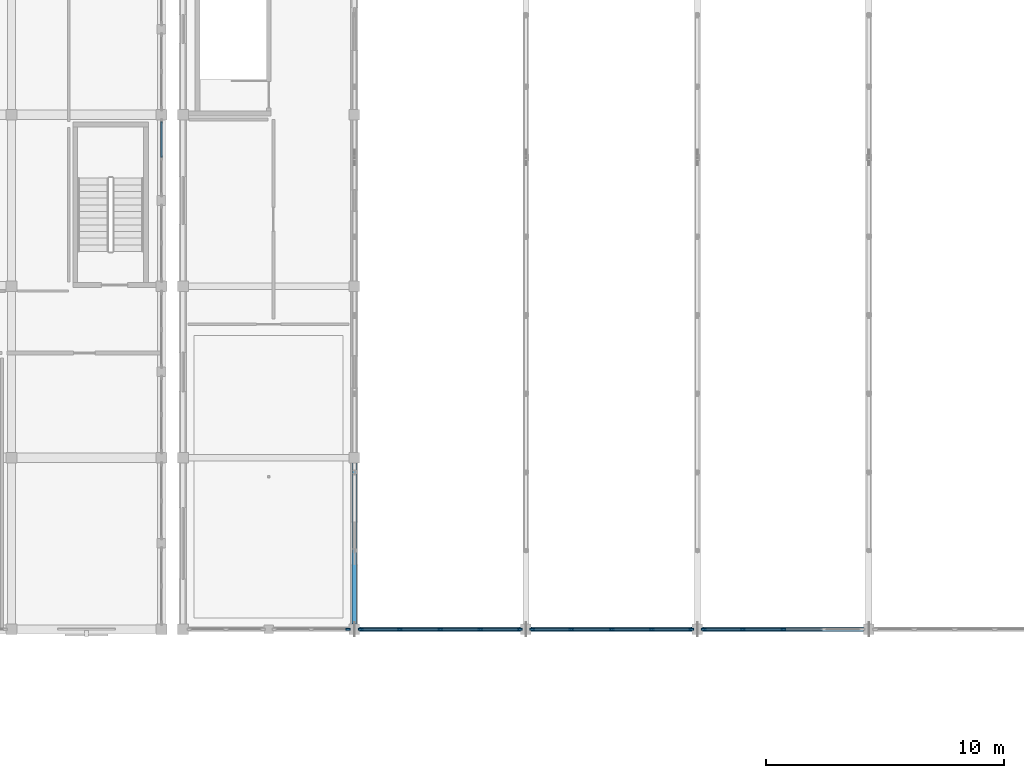
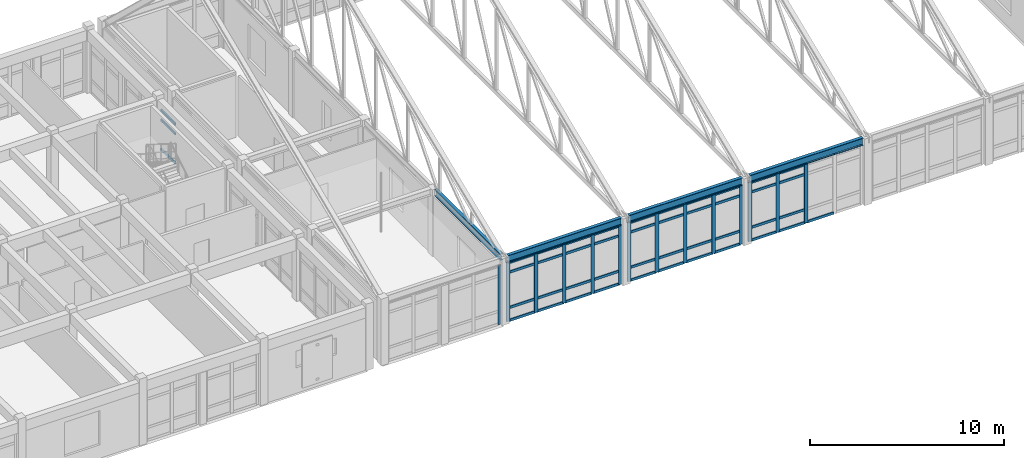
# One storey, part 17 of 136: 58 members, 4 beams, 5 elements without a shape of their own.
"""IFC4 building model written with IfcOpenShell, lengths in metres."""

from ifc_helpers import new_model, si_unit, direction, frame, origin, origin_2d, place, context, subcontext, project, spatial, rectangle, i_section, extrude, material, layer, layer_set, material_profile, profile_set, type_object, element, aggregate, save


model = new_model("IFC4")

# Units and contexts
model_context = context("Model", 3, precision=1e-05, world=origin(), true_north=direction((0.0, 1.0)))
body_context = subcontext(model_context, "Body", "Model", "MODEL_VIEW")
ifc_project = project(units=[si_unit("LENGTHUNIT", "METRE"), si_unit("AREAUNIT", "SQUARE_METRE"), si_unit("VOLUMEUNIT", "CUBIC_METRE"), si_unit("PLANEANGLEUNIT", "RADIAN"), si_unit("MASSUNIT", "GRAM", prefix="KILO")], contexts=[model_context])

# Site, building, storey
site_placement = place(None, origin())
site = spatial("IfcSite", under=ifc_project, at=site_placement, CompositionType="ELEMENT")
building_placement = place(site_placement, origin())
building = spatial("IfcBuilding", under=site, at=building_placement, Name="Koriwan Promenade Central Fire Station", CompositionType="ELEMENT")
storey_placement = place(building_placement, frame((0.0, 0.0, 5.39990234375)))
storey = spatial("IfcBuildingStorey", under=building, at=storey_placement, Name="L01", CompositionType="ELEMENT", Elevation=5.39990234375)

# Curtain wall, member
ifc_material_1 = material(Name="Aluminium EN AW-6063-T6 and low-E glazing", Category="aluminium")
ifc_layer_1 = layer(ifc_material_1, 0.159912109375, Name="Aluminium EN AW-6063-T6 and low-E glazing")
ifc_layer_set_1 = layer_set([ifc_layer_1], Name="Aluminium EN AW-6063-T6 and low-E glazing")
curtain_wall_type_1 = type_object("IfcCurtainWallType", Name="CurtainWall_02_318x372", PredefinedType="USERDEFINED", material=ifc_layer_set_1)
curtain_wall_1_placement = place(storey_placement, origin())
curtain_wall_1 = element("IfcCurtainWall", 1, at=curtain_wall_1_placement, inside=storey, type_object=curtain_wall_type_1, Name="V1 L01 unitised curtain wall 003", ObjectType="UNITISED CURTAIN WALL", PredefinedType="USERDEFINED")
ifc_material_2 = material(Name="Aluminium EN AW-6063-T6", Category="aluminium")
ifc_material_profile_1 = material_profile(ifc_material_2, rectangle(XDim=0.074951171875, YDim=0.179931640625, at=origin_2d()), Name="ALU-MUL-75x180")
ifc_profile_set_1 = profile_set([ifc_material_profile_1], Name="Aluminium EN AW-6063-T6")
member_type_1 = type_object("IfcMemberType", Name="CWMullion_ALU-MUL-75x180", PredefinedType="MULLION", material=ifc_profile_set_1)
member_1_placement = place(storey_placement, frame((64.53759765625, 43.199951171875, 0.0), z_axis=(0.0, 0.0, 1.0), x_axis=(0.0, -1.0, 0.0)))
member_1 = element("IfcMember", 2, at=member_1_placement, type_object=member_type_1, Name="CW-02 mullion 1", PredefinedType="MULLION", context=body_context, shape_type="SweptSolid", body=[
    extrude(rectangle(XDim=0.074951171875, YDim=0.179931640625, at=origin_2d()), origin(), (0.0, 0.0, 1.0), 3.72119140625),
])
aggregate(curtain_wall_1, [member_1])

# Curtain wall, members
ifc_layer_2 = layer(ifc_material_1, 0.159912109375, Name="Aluminium EN AW-6063-T6 and low-E glazing")
ifc_layer_set_2 = layer_set([ifc_layer_2], Name="Aluminium EN AW-6063-T6 and low-E glazing")
curtain_wall_type_2 = type_object("IfcCurtainWallType", Name="CurtainWall_93_675x372", PredefinedType="USERDEFINED", material=ifc_layer_set_2)
curtain_wall_2_placement = place(storey_placement, origin())
curtain_wall_2 = element("IfcCurtainWall", 3, at=curtain_wall_2_placement, inside=storey, type_object=curtain_wall_type_2, Name="V1 L01 unitised curtain wall 289", ObjectType="UNITISED CURTAIN WALL", PredefinedType="USERDEFINED")
ifc_material_profile_2 = material_profile(ifc_material_2, rectangle(XDim=0.080078125, YDim=0.2099609375, at=origin_2d()), Name="ALU-MUL-80x210")
ifc_profile_set_2 = profile_set([ifc_material_profile_2], Name="Aluminium EN AW-6063-T6")
member_type_2 = type_object("IfcMemberType", Name="CWMullion_ALU-MUL-80x210", PredefinedType="MULLION", material=ifc_profile_set_2)
member_2_placement = place(storey_placement, frame((65.06494140625, 43.199951171875, 0.0), z_axis=(0.0, 0.0, 1.0), x_axis=(0.0, 1.0, 0.0)))
member_2 = element("IfcMember", 4, at=member_2_placement, type_object=member_type_2, Name="CW-93 mullion 1", PredefinedType="MULLION", context=body_context, shape_type="SweptSolid", body=[
    extrude(rectangle(XDim=0.080078125, YDim=0.2099609375, at=origin_2d()), origin(), (0.0, 0.0, 1.0), 3.72119140625),
])
member_3_placement = place(storey_placement, frame((66.71240234375, 43.199951171875, 0.0), z_axis=(0.0, 0.0, 1.0), x_axis=(0.0, 1.0, 0.0)))
member_3 = element("IfcMember", 5, at=member_3_placement, type_object=member_type_2, Name="CW-93 mullion 2", PredefinedType="MULLION", context=body_context, shape_type="SweptSolid", body=[
    extrude(rectangle(XDim=0.080078125, YDim=0.2099609375, at=origin_2d()), origin(), (0.0, 0.0, 1.0), 3.72119140625),
])
member_4_placement = place(storey_placement, frame((68.39990234375, 43.199951171875, 0.0), z_axis=(0.0, 0.0, 1.0), x_axis=(0.0, 1.0, 0.0)))
member_4 = element("IfcMember", 6, at=member_4_placement, type_object=member_type_2, Name="CW-93 mullion 3", PredefinedType="MULLION", context=body_context, shape_type="SweptSolid", body=[
    extrude(rectangle(XDim=0.080078125, YDim=0.2099609375, at=origin_2d()), origin(), (0.0, 0.0, 1.0), 3.72119140625),
])
member_5_placement = place(storey_placement, frame((70.08740234375, 43.199951171875, 0.0), z_axis=(0.0, 0.0, 1.0), x_axis=(0.0, 1.0, 0.0)))
member_5 = element("IfcMember", 7, at=member_5_placement, type_object=member_type_2, Name="CW-93 mullion 4", PredefinedType="MULLION", context=body_context, shape_type="SweptSolid", body=[
    extrude(rectangle(XDim=0.080078125, YDim=0.2099609375, at=origin_2d()), origin(), (0.0, 0.0, 1.0), 3.72119140625),
])
member_6_placement = place(storey_placement, frame((71.735107421875, 43.199951171875, 0.0), z_axis=(0.0, 0.0, 1.0), x_axis=(0.0, 1.0, 0.0)))
member_6 = element("IfcMember", 8, at=member_6_placement, type_object=member_type_2, Name="CW-93 mullion 5", PredefinedType="MULLION", context=body_context, shape_type="SweptSolid", body=[
    extrude(rectangle(XDim=0.080078125, YDim=0.2099609375, at=origin_2d()), origin(), (0.0, 0.0, 1.0), 3.72119140625),
])

curtain_wall_3_placement = place(storey_placement, origin())
curtain_wall_3 = element("IfcCurtainWall", 9, at=curtain_wall_3_placement, inside=storey, type_object=curtain_wall_type_2, Name="V1 L01 unitised curtain wall 291", ObjectType="UNITISED CURTAIN WALL", PredefinedType="USERDEFINED")
member_7_placement = place(storey_placement, frame((72.264892578125, 43.199951171875, 0.0), z_axis=(0.0, 0.0, 1.0), x_axis=(0.0, 1.0, 0.0)))
member_7 = element("IfcMember", 10, at=member_7_placement, type_object=member_type_2, Name="CW-93 mullion 1", PredefinedType="MULLION", context=body_context, shape_type="SweptSolid", body=[
    extrude(rectangle(XDim=0.080078125, YDim=0.2099609375, at=origin_2d()), origin(), (0.0, 0.0, 1.0), 3.72119140625),
])
member_8_placement = place(storey_placement, frame((73.91259765625, 43.199951171875, 0.0), z_axis=(0.0, 0.0, 1.0), x_axis=(0.0, 1.0, 0.0)))
member_8 = element("IfcMember", 11, at=member_8_placement, type_object=member_type_2, Name="CW-93 mullion 2", PredefinedType="MULLION", context=body_context, shape_type="SweptSolid", body=[
    extrude(rectangle(XDim=0.080078125, YDim=0.2099609375, at=origin_2d()), origin(), (0.0, 0.0, 1.0), 3.72119140625),
])
member_9_placement = place(storey_placement, frame((75.60009765625, 43.199951171875, 0.0), z_axis=(0.0, 0.0, 1.0), x_axis=(0.0, 1.0, 0.0)))
member_9 = element("IfcMember", 12, at=member_9_placement, type_object=member_type_2, Name="CW-93 mullion 3", PredefinedType="MULLION", context=body_context, shape_type="SweptSolid", body=[
    extrude(rectangle(XDim=0.080078125, YDim=0.2099609375, at=origin_2d()), origin(), (0.0, 0.0, 1.0), 3.72119140625),
])
member_10_placement = place(storey_placement, frame((77.28759765625, 43.199951171875, 0.0), z_axis=(0.0, 0.0, 1.0), x_axis=(0.0, 1.0, 0.0)))
member_10 = element("IfcMember", 13, at=member_10_placement, type_object=member_type_2, Name="CW-93 mullion 4", PredefinedType="MULLION", context=body_context, shape_type="SweptSolid", body=[
    extrude(rectangle(XDim=0.080078125, YDim=0.2099609375, at=origin_2d()), origin(), (0.0, 0.0, 1.0), 3.72119140625),
])
member_11_placement = place(storey_placement, frame((78.93505859375, 43.199951171875, 0.0), z_axis=(0.0, 0.0, 1.0), x_axis=(0.0, 1.0, 0.0)))
member_11 = element("IfcMember", 14, at=member_11_placement, type_object=member_type_2, Name="CW-93 mullion 5", PredefinedType="MULLION", context=body_context, shape_type="SweptSolid", body=[
    extrude(rectangle(XDim=0.080078125, YDim=0.2099609375, at=origin_2d()), origin(), (0.0, 0.0, 1.0), 3.72119140625),
])

curtain_wall_4_placement = place(storey_placement, origin())
curtain_wall_4 = element("IfcCurtainWall", 15, at=curtain_wall_4_placement, inside=storey, type_object=curtain_wall_type_2, Name="V1 L01 unitised curtain wall 293", ObjectType="UNITISED CURTAIN WALL", PredefinedType="USERDEFINED")
member_12_placement = place(storey_placement, frame((79.465087890625, 43.199951171875, 0.0), z_axis=(0.0, 0.0, 1.0), x_axis=(0.0, 1.0, 0.0)))
member_12 = element("IfcMember", 16, at=member_12_placement, type_object=member_type_2, Name="CW-93 mullion 1", PredefinedType="MULLION", context=body_context, shape_type="SweptSolid", body=[
    extrude(rectangle(XDim=0.080078125, YDim=0.2099609375, at=origin_2d()), origin(), (0.0, 0.0, 1.0), 3.72119140625),
])
member_13_placement = place(storey_placement, frame((81.112548828125, 43.199951171875, 0.0), z_axis=(0.0, 0.0, 1.0), x_axis=(0.0, 1.0, 0.0)))
member_13 = element("IfcMember", 17, at=member_13_placement, type_object=member_type_2, Name="CW-93 mullion 2", PredefinedType="MULLION", context=body_context, shape_type="SweptSolid", body=[
    extrude(rectangle(XDim=0.080078125, YDim=0.2099609375, at=origin_2d()), origin(), (0.0, 0.0, 1.0), 3.72119140625),
])
member_14_placement = place(storey_placement, frame((82.800048828125, 43.199951171875, 0.0), z_axis=(0.0, 0.0, 1.0), x_axis=(0.0, 1.0, 0.0)))
member_14 = element("IfcMember", 18, at=member_14_placement, type_object=member_type_2, Name="CW-93 mullion 3", PredefinedType="MULLION", context=body_context, shape_type="SweptSolid", body=[
    extrude(rectangle(XDim=0.080078125, YDim=0.2099609375, at=origin_2d()), origin(), (0.0, 0.0, 1.0), 3.72119140625),
])

ifc_layer_3 = layer(ifc_material_1, 0.159912109375, Name="Aluminium EN AW-6063-T6 and low-E glazing")
ifc_layer_set_3 = layer_set([ifc_layer_3], Name="Aluminium EN AW-6063-T6 and low-E glazing")
curtain_wall_type_3 = type_object("IfcCurtainWallType", Name="CurtainWall_44_318x334", PredefinedType="USERDEFINED", material=ifc_layer_set_3)
curtain_wall_5_placement = place(storey_placement, origin())
curtain_wall_5 = element("IfcCurtainWall", 19, at=curtain_wall_5_placement, inside=storey, type_object=curtain_wall_type_3, Name="V4 L01 unitised curtain wall 114", ObjectType="UNITISED CURTAIN WALL", PredefinedType="USERDEFINED")
ifc_material_profile_3 = material_profile(ifc_material_2, rectangle(XDim=0.074951171875, YDim=0.139892578125, at=origin_2d()), Name="ALU-TRN-75x140")
ifc_profile_set_3 = profile_set([ifc_material_profile_3], Name="Aluminium EN AW-6063-T6")
member_type_3 = type_object("IfcMemberType", Name="CWTransom_ALU-TRN-75x140", PredefinedType="USERDEFINED", material=ifc_profile_set_3)
member_15_placement = place(storey_placement, frame((56.699951171875, 63.02490234375, 0.85009765625), z_axis=(0.0, 1.0, 0.0), x_axis=(-1.0, 0.0, 0.0)))
member_15 = element("IfcMember", 20, at=member_15_placement, type_object=member_type_3, Name="CW-44 transom 2.2", ObjectType="TRANSOM", PredefinedType="USERDEFINED", context=body_context, shape_type="SweptSolid", body=[
    extrude(rectangle(XDim=0.074951171875, YDim=0.139892578125, at=origin_2d()), origin(), (0.0, 0.0, 1.0), 1.47509765625),
])
member_16_placement = place(storey_placement, frame((56.699951171875, 63.02490234375, 2.690185546875), z_axis=(0.0, 1.0, 0.0), x_axis=(-1.0, 0.0, 0.0)))
member_16 = element("IfcMember", 21, at=member_16_placement, type_object=member_type_3, Name="CW-44 transom 2.3", ObjectType="TRANSOM", PredefinedType="USERDEFINED", context=body_context, shape_type="SweptSolid", body=[
    extrude(rectangle(XDim=0.074951171875, YDim=0.139892578125, at=origin_2d()), origin(), (0.0, 0.0, 1.0), 1.47509765625),
])
member_17_placement = place(storey_placement, frame((56.699951171875, 63.02490234375, 3.302490234375), z_axis=(0.0, 1.0, 0.0), x_axis=(-1.0, 0.0, 0.0)))
member_17 = element("IfcMember", 22, at=member_17_placement, type_object=member_type_3, Name="CW-44 transom 2.4", ObjectType="TRANSOM", PredefinedType="USERDEFINED", context=body_context, shape_type="SweptSolid", body=[
    extrude(rectangle(XDim=0.074951171875, YDim=0.139892578125, at=origin_2d()), origin(), (0.0, 0.0, 1.0), 1.47509765625),
])
aggregate(curtain_wall_5, [member_15, member_16, member_17])

# Member
ifc_material_profile_4 = material_profile(ifc_material_2, rectangle(XDim=0.080078125, YDim=0.155029296875, at=origin_2d()), Name="ALU-TRN-80x155")
ifc_profile_set_4 = profile_set([ifc_material_profile_4], Name="Aluminium EN AW-6063-T6")
member_type_4 = type_object("IfcMemberType", Name="CWTransom_ALU-TRN-80x155", PredefinedType="USERDEFINED", material=ifc_profile_set_4)
member_18_placement = place(storey_placement, frame((65.10498046875, 43.199951171875, 0.0400390625), z_axis=(1.0, 0.0, 0.0), x_axis=(0.0, 1.0, 0.0)))
member_18 = element("IfcMember", 23, at=member_18_placement, type_object=member_type_4, Name="CW-93 transom 1.1", ObjectType="TRANSOM", PredefinedType="USERDEFINED", context=body_context, shape_type="SweptSolid", body=[
    extrude(rectangle(XDim=0.080078125, YDim=0.155029296875, at=origin_2d()), origin(), (0.0, 0.0, 1.0), 1.567626953125),
])

member_19_placement = place(storey_placement, frame((65.10498046875, 43.199951171875, 0.85009765625), z_axis=(1.0, 0.0, 0.0), x_axis=(0.0, 1.0, 0.0)))
member_19 = element("IfcMember", 24, at=member_19_placement, type_object=member_type_4, Name="CW-93 transom 1.2", ObjectType="TRANSOM", PredefinedType="USERDEFINED", context=body_context, shape_type="SweptSolid", body=[
    extrude(rectangle(XDim=0.080078125, YDim=0.155029296875, at=origin_2d()), origin(), (0.0, 0.0, 1.0), 1.567626953125),
])

member_20_placement = place(storey_placement, frame((65.10498046875, 43.199951171875, 3.071044921875), z_axis=(1.0, 0.0, 0.0), x_axis=(0.0, 1.0, 0.0)))
member_20 = element("IfcMember", 25, at=member_20_placement, type_object=member_type_4, Name="CW-93 transom 1.3", ObjectType="TRANSOM", PredefinedType="USERDEFINED", context=body_context, shape_type="SweptSolid", body=[
    extrude(rectangle(XDim=0.080078125, YDim=0.155029296875, at=origin_2d()), origin(), (0.0, 0.0, 1.0), 1.567626953125),
])

member_21_placement = place(storey_placement, frame((65.10498046875, 43.199951171875, 3.68115234375), z_axis=(1.0, 0.0, 0.0), x_axis=(0.0, 1.0, 0.0)))
member_21 = element("IfcMember", 26, at=member_21_placement, type_object=member_type_4, Name="CW-93 transom 1.4", ObjectType="TRANSOM", PredefinedType="USERDEFINED", context=body_context, shape_type="SweptSolid", body=[
    extrude(rectangle(XDim=0.080078125, YDim=0.155029296875, at=origin_2d()), origin(), (0.0, 0.0, 1.0), 1.567626953125),
])

member_22_placement = place(storey_placement, frame((66.75244140625, 43.199951171875, 0.0400390625), z_axis=(1.0, 0.0, 0.0), x_axis=(0.0, 1.0, 0.0)))
member_22 = element("IfcMember", 27, at=member_22_placement, type_object=member_type_4, Name="CW-93 transom 2.1", ObjectType="TRANSOM", PredefinedType="USERDEFINED", context=body_context, shape_type="SweptSolid", body=[
    extrude(rectangle(XDim=0.080078125, YDim=0.155029296875, at=origin_2d()), origin(), (0.0, 0.0, 1.0), 1.607666015625),
])

member_23_placement = place(storey_placement, frame((66.75244140625, 43.199951171875, 0.85009765625), z_axis=(1.0, 0.0, 0.0), x_axis=(0.0, 1.0, 0.0)))
member_23 = element("IfcMember", 28, at=member_23_placement, type_object=member_type_4, Name="CW-93 transom 2.2", ObjectType="TRANSOM", PredefinedType="USERDEFINED", context=body_context, shape_type="SweptSolid", body=[
    extrude(rectangle(XDim=0.080078125, YDim=0.155029296875, at=origin_2d()), origin(), (0.0, 0.0, 1.0), 1.607666015625),
])

member_24_placement = place(storey_placement, frame((66.75244140625, 43.199951171875, 3.071044921875), z_axis=(1.0, 0.0, 0.0), x_axis=(0.0, 1.0, 0.0)))
member_24 = element("IfcMember", 29, at=member_24_placement, type_object=member_type_4, Name="CW-93 transom 2.3", ObjectType="TRANSOM", PredefinedType="USERDEFINED", context=body_context, shape_type="SweptSolid", body=[
    extrude(rectangle(XDim=0.080078125, YDim=0.155029296875, at=origin_2d()), origin(), (0.0, 0.0, 1.0), 1.607666015625),
])

member_25_placement = place(storey_placement, frame((66.75244140625, 43.199951171875, 3.68115234375), z_axis=(1.0, 0.0, 0.0), x_axis=(0.0, 1.0, 0.0)))
member_25 = element("IfcMember", 30, at=member_25_placement, type_object=member_type_4, Name="CW-93 transom 2.4", ObjectType="TRANSOM", PredefinedType="USERDEFINED", context=body_context, shape_type="SweptSolid", body=[
    extrude(rectangle(XDim=0.080078125, YDim=0.155029296875, at=origin_2d()), origin(), (0.0, 0.0, 1.0), 1.607666015625),
])

member_26_placement = place(storey_placement, frame((68.43994140625, 43.199951171875, 0.0400390625), z_axis=(1.0, 0.0, 0.0), x_axis=(0.0, 1.0, 0.0)))
member_26 = element("IfcMember", 31, at=member_26_placement, type_object=member_type_4, Name="CW-93 transom 3.1", ObjectType="TRANSOM", PredefinedType="USERDEFINED", context=body_context, shape_type="SweptSolid", body=[
    extrude(rectangle(XDim=0.080078125, YDim=0.155029296875, at=origin_2d()), origin(), (0.0, 0.0, 1.0), 1.607666015625),
])

member_27_placement = place(storey_placement, frame((68.43994140625, 43.199951171875, 0.85009765625), z_axis=(1.0, 0.0, 0.0), x_axis=(0.0, 1.0, 0.0)))
member_27 = element("IfcMember", 32, at=member_27_placement, type_object=member_type_4, Name="CW-93 transom 3.2", ObjectType="TRANSOM", PredefinedType="USERDEFINED", context=body_context, shape_type="SweptSolid", body=[
    extrude(rectangle(XDim=0.080078125, YDim=0.155029296875, at=origin_2d()), origin(), (0.0, 0.0, 1.0), 1.607666015625),
])

member_28_placement = place(storey_placement, frame((68.43994140625, 43.199951171875, 3.071044921875), z_axis=(1.0, 0.0, 0.0), x_axis=(0.0, 1.0, 0.0)))
member_28 = element("IfcMember", 33, at=member_28_placement, type_object=member_type_4, Name="CW-93 transom 3.3", ObjectType="TRANSOM", PredefinedType="USERDEFINED", context=body_context, shape_type="SweptSolid", body=[
    extrude(rectangle(XDim=0.080078125, YDim=0.155029296875, at=origin_2d()), origin(), (0.0, 0.0, 1.0), 1.607666015625),
])

member_29_placement = place(storey_placement, frame((68.43994140625, 43.199951171875, 3.68115234375), z_axis=(1.0, 0.0, 0.0), x_axis=(0.0, 1.0, 0.0)))
member_29 = element("IfcMember", 34, at=member_29_placement, type_object=member_type_4, Name="CW-93 transom 3.4", ObjectType="TRANSOM", PredefinedType="USERDEFINED", context=body_context, shape_type="SweptSolid", body=[
    extrude(rectangle(XDim=0.080078125, YDim=0.155029296875, at=origin_2d()), origin(), (0.0, 0.0, 1.0), 1.607666015625),
])

member_30_placement = place(storey_placement, frame((70.12744140625, 43.199951171875, 0.0400390625), z_axis=(1.0, 0.0, 0.0), x_axis=(0.0, 1.0, 0.0)))
member_30 = element("IfcMember", 35, at=member_30_placement, type_object=member_type_4, Name="CW-93 transom 4.1", ObjectType="TRANSOM", PredefinedType="USERDEFINED", context=body_context, shape_type="SweptSolid", body=[
    extrude(rectangle(XDim=0.080078125, YDim=0.155029296875, at=origin_2d()), origin(), (0.0, 0.0, 1.0), 1.567626953125),
])

member_31_placement = place(storey_placement, frame((70.12744140625, 43.199951171875, 0.85009765625), z_axis=(1.0, 0.0, 0.0), x_axis=(0.0, 1.0, 0.0)))
member_31 = element("IfcMember", 36, at=member_31_placement, type_object=member_type_4, Name="CW-93 transom 4.2", ObjectType="TRANSOM", PredefinedType="USERDEFINED", context=body_context, shape_type="SweptSolid", body=[
    extrude(rectangle(XDim=0.080078125, YDim=0.155029296875, at=origin_2d()), origin(), (0.0, 0.0, 1.0), 1.567626953125),
])

member_32_placement = place(storey_placement, frame((70.12744140625, 43.199951171875, 3.071044921875), z_axis=(1.0, 0.0, 0.0), x_axis=(0.0, 1.0, 0.0)))
member_32 = element("IfcMember", 37, at=member_32_placement, type_object=member_type_4, Name="CW-93 transom 4.3", ObjectType="TRANSOM", PredefinedType="USERDEFINED", context=body_context, shape_type="SweptSolid", body=[
    extrude(rectangle(XDim=0.080078125, YDim=0.155029296875, at=origin_2d()), origin(), (0.0, 0.0, 1.0), 1.567626953125),
])

member_33_placement = place(storey_placement, frame((70.12744140625, 43.199951171875, 3.68115234375), z_axis=(1.0, 0.0, 0.0), x_axis=(0.0, 1.0, 0.0)))
member_33 = element("IfcMember", 38, at=member_33_placement, type_object=member_type_4, Name="CW-93 transom 4.4", ObjectType="TRANSOM", PredefinedType="USERDEFINED", context=body_context, shape_type="SweptSolid", body=[
    extrude(rectangle(XDim=0.080078125, YDim=0.155029296875, at=origin_2d()), origin(), (0.0, 0.0, 1.0), 1.567626953125),
])

aggregate(curtain_wall_2, [member_2, member_3, member_4, member_5, member_6, member_18, member_19, member_20, member_21, member_22, member_23, member_24, member_25, member_26, member_27, member_28, member_29, member_30, member_31, member_32, member_33])

member_34_placement = place(storey_placement, frame((72.304931640625, 43.199951171875, 0.0400390625), z_axis=(1.0, 0.0, 0.0), x_axis=(0.0, 1.0, 0.0)))
member_34 = element("IfcMember", 39, at=member_34_placement, type_object=member_type_4, Name="CW-93 transom 1.1", ObjectType="TRANSOM", PredefinedType="USERDEFINED", context=body_context, shape_type="SweptSolid", body=[
    extrude(rectangle(XDim=0.080078125, YDim=0.155029296875, at=origin_2d()), origin(), (0.0, 0.0, 1.0), 1.567626953125),
])

member_35_placement = place(storey_placement, frame((72.304931640625, 43.199951171875, 0.85009765625), z_axis=(1.0, 0.0, 0.0), x_axis=(0.0, 1.0, 0.0)))
member_35 = element("IfcMember", 40, at=member_35_placement, type_object=member_type_4, Name="CW-93 transom 1.2", ObjectType="TRANSOM", PredefinedType="USERDEFINED", context=body_context, shape_type="SweptSolid", body=[
    extrude(rectangle(XDim=0.080078125, YDim=0.155029296875, at=origin_2d()), origin(), (0.0, 0.0, 1.0), 1.567626953125),
])

member_36_placement = place(storey_placement, frame((72.304931640625, 43.199951171875, 3.071044921875), z_axis=(1.0, 0.0, 0.0), x_axis=(0.0, 1.0, 0.0)))
member_36 = element("IfcMember", 41, at=member_36_placement, type_object=member_type_4, Name="CW-93 transom 1.3", ObjectType="TRANSOM", PredefinedType="USERDEFINED", context=body_context, shape_type="SweptSolid", body=[
    extrude(rectangle(XDim=0.080078125, YDim=0.155029296875, at=origin_2d()), origin(), (0.0, 0.0, 1.0), 1.567626953125),
])

member_37_placement = place(storey_placement, frame((72.304931640625, 43.199951171875, 3.68115234375), z_axis=(1.0, 0.0, 0.0), x_axis=(0.0, 1.0, 0.0)))
member_37 = element("IfcMember", 42, at=member_37_placement, type_object=member_type_4, Name="CW-93 transom 1.4", ObjectType="TRANSOM", PredefinedType="USERDEFINED", context=body_context, shape_type="SweptSolid", body=[
    extrude(rectangle(XDim=0.080078125, YDim=0.155029296875, at=origin_2d()), origin(), (0.0, 0.0, 1.0), 1.567626953125),
])

member_38_placement = place(storey_placement, frame((73.952392578125, 43.199951171875, 0.0400390625), z_axis=(1.0, 0.0, 0.0), x_axis=(0.0, 1.0, 0.0)))
member_38 = element("IfcMember", 43, at=member_38_placement, type_object=member_type_4, Name="CW-93 transom 2.1", ObjectType="TRANSOM", PredefinedType="USERDEFINED", context=body_context, shape_type="SweptSolid", body=[
    extrude(rectangle(XDim=0.080078125, YDim=0.155029296875, at=origin_2d()), origin(), (0.0, 0.0, 1.0), 1.607666015625),
])

member_39_placement = place(storey_placement, frame((73.952392578125, 43.199951171875, 0.85009765625), z_axis=(1.0, 0.0, 0.0), x_axis=(0.0, 1.0, 0.0)))
member_39 = element("IfcMember", 44, at=member_39_placement, type_object=member_type_4, Name="CW-93 transom 2.2", ObjectType="TRANSOM", PredefinedType="USERDEFINED", context=body_context, shape_type="SweptSolid", body=[
    extrude(rectangle(XDim=0.080078125, YDim=0.155029296875, at=origin_2d()), origin(), (0.0, 0.0, 1.0), 1.607666015625),
])

member_40_placement = place(storey_placement, frame((73.952392578125, 43.199951171875, 3.071044921875), z_axis=(1.0, 0.0, 0.0), x_axis=(0.0, 1.0, 0.0)))
member_40 = element("IfcMember", 45, at=member_40_placement, type_object=member_type_4, Name="CW-93 transom 2.3", ObjectType="TRANSOM", PredefinedType="USERDEFINED", context=body_context, shape_type="SweptSolid", body=[
    extrude(rectangle(XDim=0.080078125, YDim=0.155029296875, at=origin_2d()), origin(), (0.0, 0.0, 1.0), 1.607666015625),
])

member_41_placement = place(storey_placement, frame((73.952392578125, 43.199951171875, 3.68115234375), z_axis=(1.0, 0.0, 0.0), x_axis=(0.0, 1.0, 0.0)))
member_41 = element("IfcMember", 46, at=member_41_placement, type_object=member_type_4, Name="CW-93 transom 2.4", ObjectType="TRANSOM", PredefinedType="USERDEFINED", context=body_context, shape_type="SweptSolid", body=[
    extrude(rectangle(XDim=0.080078125, YDim=0.155029296875, at=origin_2d()), origin(), (0.0, 0.0, 1.0), 1.607666015625),
])

member_42_placement = place(storey_placement, frame((75.639892578125, 43.199951171875, 0.0400390625), z_axis=(1.0, 0.0, 0.0), x_axis=(0.0, 1.0, 0.0)))
member_42 = element("IfcMember", 47, at=member_42_placement, type_object=member_type_4, Name="CW-93 transom 3.1", ObjectType="TRANSOM", PredefinedType="USERDEFINED", context=body_context, shape_type="SweptSolid", body=[
    extrude(rectangle(XDim=0.080078125, YDim=0.155029296875, at=origin_2d()), origin(), (0.0, 0.0, 1.0), 1.607666015625),
])

member_43_placement = place(storey_placement, frame((75.639892578125, 43.199951171875, 0.85009765625), z_axis=(1.0, 0.0, 0.0), x_axis=(0.0, 1.0, 0.0)))
member_43 = element("IfcMember", 48, at=member_43_placement, type_object=member_type_4, Name="CW-93 transom 3.2", ObjectType="TRANSOM", PredefinedType="USERDEFINED", context=body_context, shape_type="SweptSolid", body=[
    extrude(rectangle(XDim=0.080078125, YDim=0.155029296875, at=origin_2d()), origin(), (0.0, 0.0, 1.0), 1.607666015625),
])

member_44_placement = place(storey_placement, frame((75.639892578125, 43.199951171875, 3.071044921875), z_axis=(1.0, 0.0, 0.0), x_axis=(0.0, 1.0, 0.0)))
member_44 = element("IfcMember", 49, at=member_44_placement, type_object=member_type_4, Name="CW-93 transom 3.3", ObjectType="TRANSOM", PredefinedType="USERDEFINED", context=body_context, shape_type="SweptSolid", body=[
    extrude(rectangle(XDim=0.080078125, YDim=0.155029296875, at=origin_2d()), origin(), (0.0, 0.0, 1.0), 1.607666015625),
])

member_45_placement = place(storey_placement, frame((75.639892578125, 43.199951171875, 3.68115234375), z_axis=(1.0, 0.0, 0.0), x_axis=(0.0, 1.0, 0.0)))
member_45 = element("IfcMember", 50, at=member_45_placement, type_object=member_type_4, Name="CW-93 transom 3.4", ObjectType="TRANSOM", PredefinedType="USERDEFINED", context=body_context, shape_type="SweptSolid", body=[
    extrude(rectangle(XDim=0.080078125, YDim=0.155029296875, at=origin_2d()), origin(), (0.0, 0.0, 1.0), 1.607666015625),
])

member_46_placement = place(storey_placement, frame((77.327392578125, 43.199951171875, 0.0400390625), z_axis=(1.0, 0.0, 0.0), x_axis=(0.0, 1.0, 0.0)))
member_46 = element("IfcMember", 51, at=member_46_placement, type_object=member_type_4, Name="CW-93 transom 4.1", ObjectType="TRANSOM", PredefinedType="USERDEFINED", context=body_context, shape_type="SweptSolid", body=[
    extrude(rectangle(XDim=0.080078125, YDim=0.155029296875, at=origin_2d()), origin(), (0.0, 0.0, 1.0), 1.567626953125),
])

member_47_placement = place(storey_placement, frame((77.327392578125, 43.199951171875, 0.85009765625), z_axis=(1.0, 0.0, 0.0), x_axis=(0.0, 1.0, 0.0)))
member_47 = element("IfcMember", 52, at=member_47_placement, type_object=member_type_4, Name="CW-93 transom 4.2", ObjectType="TRANSOM", PredefinedType="USERDEFINED", context=body_context, shape_type="SweptSolid", body=[
    extrude(rectangle(XDim=0.080078125, YDim=0.155029296875, at=origin_2d()), origin(), (0.0, 0.0, 1.0), 1.567626953125),
])

member_48_placement = place(storey_placement, frame((77.327392578125, 43.199951171875, 3.071044921875), z_axis=(1.0, 0.0, 0.0), x_axis=(0.0, 1.0, 0.0)))
member_48 = element("IfcMember", 53, at=member_48_placement, type_object=member_type_4, Name="CW-93 transom 4.3", ObjectType="TRANSOM", PredefinedType="USERDEFINED", context=body_context, shape_type="SweptSolid", body=[
    extrude(rectangle(XDim=0.080078125, YDim=0.155029296875, at=origin_2d()), origin(), (0.0, 0.0, 1.0), 1.567626953125),
])

member_49_placement = place(storey_placement, frame((77.327392578125, 43.199951171875, 3.68115234375), z_axis=(1.0, 0.0, 0.0), x_axis=(0.0, 1.0, 0.0)))
member_49 = element("IfcMember", 54, at=member_49_placement, type_object=member_type_4, Name="CW-93 transom 4.4", ObjectType="TRANSOM", PredefinedType="USERDEFINED", context=body_context, shape_type="SweptSolid", body=[
    extrude(rectangle(XDim=0.080078125, YDim=0.155029296875, at=origin_2d()), origin(), (0.0, 0.0, 1.0), 1.567626953125),
])

aggregate(curtain_wall_3, [member_7, member_8, member_9, member_10, member_11, member_34, member_35, member_36, member_37, member_38, member_39, member_40, member_41, member_42, member_43, member_44, member_45, member_46, member_47, member_48, member_49])

member_50_placement = place(storey_placement, frame((79.5048828125, 43.199951171875, 0.0400390625), z_axis=(1.0, 0.0, 0.0), x_axis=(0.0, 1.0, 0.0)))
member_50 = element("IfcMember", 55, at=member_50_placement, type_object=member_type_4, Name="CW-93 transom 1.1", ObjectType="TRANSOM", PredefinedType="USERDEFINED", context=body_context, shape_type="SweptSolid", body=[
    extrude(rectangle(XDim=0.080078125, YDim=0.155029296875, at=origin_2d()), origin(), (0.0, 0.0, 1.0), 1.567626953125),
])

member_51_placement = place(storey_placement, frame((79.5048828125, 43.199951171875, 0.85009765625), z_axis=(1.0, 0.0, 0.0), x_axis=(0.0, 1.0, 0.0)))
member_51 = element("IfcMember", 56, at=member_51_placement, type_object=member_type_4, Name="CW-93 transom 1.2", ObjectType="TRANSOM", PredefinedType="USERDEFINED", context=body_context, shape_type="SweptSolid", body=[
    extrude(rectangle(XDim=0.080078125, YDim=0.155029296875, at=origin_2d()), origin(), (0.0, 0.0, 1.0), 1.567626953125),
])

member_52_placement = place(storey_placement, frame((79.5048828125, 43.199951171875, 3.071044921875), z_axis=(1.0, 0.0, 0.0), x_axis=(0.0, 1.0, 0.0)))
member_52 = element("IfcMember", 57, at=member_52_placement, type_object=member_type_4, Name="CW-93 transom 1.3", ObjectType="TRANSOM", PredefinedType="USERDEFINED", context=body_context, shape_type="SweptSolid", body=[
    extrude(rectangle(XDim=0.080078125, YDim=0.155029296875, at=origin_2d()), origin(), (0.0, 0.0, 1.0), 1.567626953125),
])

member_53_placement = place(storey_placement, frame((79.5048828125, 43.199951171875, 3.68115234375), z_axis=(1.0, 0.0, 0.0), x_axis=(0.0, 1.0, 0.0)))
member_53 = element("IfcMember", 58, at=member_53_placement, type_object=member_type_4, Name="CW-93 transom 1.4", ObjectType="TRANSOM", PredefinedType="USERDEFINED", context=body_context, shape_type="SweptSolid", body=[
    extrude(rectangle(XDim=0.080078125, YDim=0.155029296875, at=origin_2d()), origin(), (0.0, 0.0, 1.0), 1.567626953125),
])

member_54_placement = place(storey_placement, frame((81.152587890625, 43.199951171875, 0.0400390625), z_axis=(1.0, 0.0, 0.0), x_axis=(0.0, 1.0, 0.0)))
member_54 = element("IfcMember", 59, at=member_54_placement, type_object=member_type_4, Name="CW-93 transom 2.1", ObjectType="TRANSOM", PredefinedType="USERDEFINED", context=body_context, shape_type="SweptSolid", body=[
    extrude(rectangle(XDim=0.080078125, YDim=0.155029296875, at=origin_2d()), origin(), (0.0, 0.0, 1.0), 1.607421875),
])

member_55_placement = place(storey_placement, frame((81.152587890625, 43.199951171875, 0.85009765625), z_axis=(1.0, 0.0, 0.0), x_axis=(0.0, 1.0, 0.0)))
member_55 = element("IfcMember", 60, at=member_55_placement, type_object=member_type_4, Name="CW-93 transom 2.2", ObjectType="TRANSOM", PredefinedType="USERDEFINED", context=body_context, shape_type="SweptSolid", body=[
    extrude(rectangle(XDim=0.080078125, YDim=0.155029296875, at=origin_2d()), origin(), (0.0, 0.0, 1.0), 1.607421875),
])

member_56_placement = place(storey_placement, frame((81.152587890625, 43.199951171875, 3.071044921875), z_axis=(1.0, 0.0, 0.0), x_axis=(0.0, 1.0, 0.0)))
member_56 = element("IfcMember", 61, at=member_56_placement, type_object=member_type_4, Name="CW-93 transom 2.3", ObjectType="TRANSOM", PredefinedType="USERDEFINED", context=body_context, shape_type="SweptSolid", body=[
    extrude(rectangle(XDim=0.080078125, YDim=0.155029296875, at=origin_2d()), origin(), (0.0, 0.0, 1.0), 1.607421875),
])

member_57_placement = place(storey_placement, frame((81.152587890625, 43.199951171875, 3.68115234375), z_axis=(1.0, 0.0, 0.0), x_axis=(0.0, 1.0, 0.0)))
member_57 = element("IfcMember", 62, at=member_57_placement, type_object=member_type_4, Name="CW-93 transom 2.4", ObjectType="TRANSOM", PredefinedType="USERDEFINED", context=body_context, shape_type="SweptSolid", body=[
    extrude(rectangle(XDim=0.080078125, YDim=0.155029296875, at=origin_2d()), origin(), (0.0, 0.0, 1.0), 1.607421875),
])

member_58_placement = place(storey_placement, frame((82.840087890625, 43.199951171875, 0.0400390625), z_axis=(1.0, 0.0, 0.0), x_axis=(0.0, 1.0, 0.0)))
member_58 = element("IfcMember", 63, at=member_58_placement, type_object=member_type_4, Name="CW-93 transom 3.1", ObjectType="TRANSOM", PredefinedType="USERDEFINED", context=body_context, shape_type="SweptSolid", body=[
    extrude(rectangle(XDim=0.080078125, YDim=0.155029296875, at=origin_2d()), origin(), (0.0, 0.0, 1.0), 1.607421875),
])

aggregate(curtain_wall_4, [member_12, member_13, member_14, member_50, member_51, member_52, member_53, member_54, member_55, member_56, member_57, member_58])

# Beams
ifc_material_3 = material(Name="Steel ASTM A992 Grade 50", Category="steel")
ifc_material_profile_5 = material_profile(ifc_material_3, i_section(OverallWidth=0.180908203125, OverallDepth=0.4169921875, WebThickness=0.010986328125, FlangeThickness=0.018310546875, FilletRadius=0.01611328125, at=origin_2d()), Name="W410x85")
ifc_profile_set_5 = profile_set([ifc_material_profile_5], Name="Steel ASTM A992 Grade 50")
beam_type_1 = type_object("IfcBeamType", Name="SteelBeam_W410x85", PredefinedType="BEAM", material=ifc_profile_set_5)
beam_placement = place(storey_placement, frame((64.800048828125, 43.425048828125, 3.99169921875), z_axis=(0.0, 1.0, 0.0), x_axis=(-1.0, 0.0, 0.0)))
element("IfcBeam", 64, at=beam_placement, inside=storey, type_object=beam_type_1, Name="V1 L01 girder Y-66", PredefinedType="BEAM", context=body_context, shape_type="SweptSolid", body=[
    extrude(i_section(OverallWidth=0.180908203125, OverallDepth=0.4169921875, WebThickness=0.010986328125, FlangeThickness=0.018310546875, FilletRadius=0.01611328125, at=origin_2d()), origin(), (0.0, 0.0, 1.0), 6.75),
])
ifc_material_profile_6 = material_profile(ifc_material_3, i_section(OverallWidth=0.194091796875, OverallDepth=0.468994140625, WebThickness=0.0126953125, FlangeThickness=0.0205078125, FilletRadius=0.01806640625, at=origin_2d()), Name="W460x106")
ifc_profile_set_6 = profile_set([ifc_material_profile_6], Name="Steel ASTM A992 Grade 50")
beam_type_2 = type_object("IfcBeamType", Name="SteelBeam_W460x106", PredefinedType="BEAM", material=ifc_profile_set_6)
for number, where, z_axis, x_axis, name in (
    (65, (65.02490234375, 43.199951171875, 3.965576171875), (1.0, 0.0, 0.0), (0.0, 1.0, 0.0), "V1 L01 girder X-41"),
    (66, (72.22509765625, 43.199951171875, 3.965576171875), (1.0, 0.0, 0.0), (0.0, 1.0, 0.0), "V1 L01 girder X-42"),
    (67, (79.425048828125, 43.199951171875, 3.965576171875), (1.0, 0.0, 0.0), (0.0, 1.0, 0.0), "V1 L01 girder X-43"),
):
    element("IfcBeam", number, at=place(storey_placement, frame(where, z_axis=z_axis, x_axis=x_axis)), inside=storey, type_object=beam_type_2, Name=name, PredefinedType="BEAM", context=body_context, shape_type="SweptSolid", body=[
        extrude(i_section(OverallWidth=0.194091796875, OverallDepth=0.468994140625, WebThickness=0.0126953125, FlangeThickness=0.0205078125, FilletRadius=0.01806640625, at=origin_2d()), origin(), (0.0, 0.0, 1.0), 6.75),
    ])

save(model, "model.ifc")
